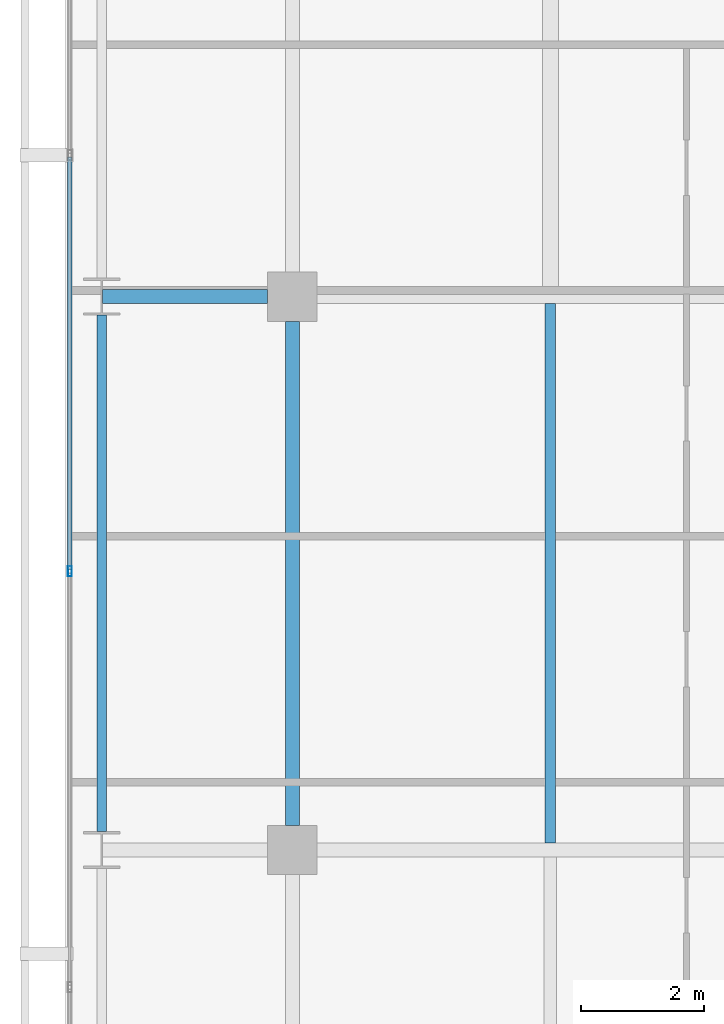
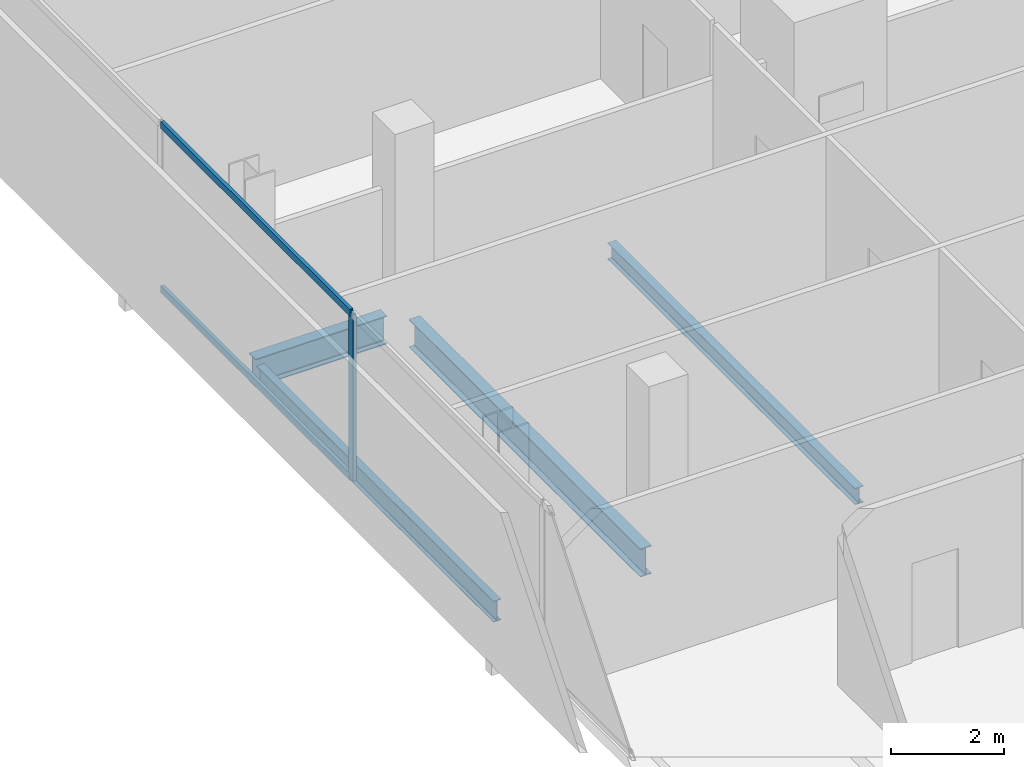
# One storey, part 8 of 34: 4 beams, 3 members, 1 element without a shape of its own.
"""IFC4 building model written with IfcOpenShell, lengths in metres."""

from ifc_helpers import new_model, si_unit, direction, frame, origin, origin_2d, place, context, subcontext, project, spatial, hollow_rectangle, i_section, extrude, material, layer, layer_set, material_profile, profile_set, type_object, element, aggregate, save


model = new_model("IFC4")

# Units and contexts
model_context = context("Model", 3, precision=1e-05, world=origin(), true_north=direction((0.0, 1.0)))
body_context = subcontext(model_context, "Body", "Model", "MODEL_VIEW")
ifc_project = project(units=[si_unit("LENGTHUNIT", "METRE"), si_unit("AREAUNIT", "SQUARE_METRE"), si_unit("VOLUMEUNIT", "CUBIC_METRE"), si_unit("PLANEANGLEUNIT", "RADIAN"), si_unit("MASSUNIT", "GRAM", prefix="KILO")], contexts=[model_context])

# Site, building, storey
site_placement = place(None, origin())
site = spatial("IfcSite", under=ifc_project, at=site_placement, CompositionType="ELEMENT")
building_placement = place(site_placement, origin())
building = spatial("IfcBuilding", under=site, at=building_placement, Name="Maruvema Waterfront Hotel and Observation Tower", CompositionType="ELEMENT")
storey_placement = place(building_placement, frame((0.0, 0.0, 127.39990234375)))
storey = spatial("IfcBuildingStorey", under=building, at=storey_placement, Name="L30", CompositionType="ELEMENT", Elevation=127.39990234375)

# Curtain wall, members
ifc_material_1 = material(Name="Anodised bronze aluminium and solar-control low-E IGU", Category="aluminium")
ifc_layer = layer(ifc_material_1, 0.159912109375, Name="Zone 2 Amber Inner Thermal Curtain Wall System CW-03")
ifc_layer_set = layer_set([ifc_layer], Name="Anodised bronze aluminium and solar-control low-E IGU")
curtain_wall_type = type_object("IfcCurtainWallType", Name="Zone 2 Amber Inner Thermal Curtain Wall System CW-03", PredefinedType="USERDEFINED", material=ifc_layer_set)
curtain_wall_placement = place(storey_placement, origin())
curtain_wall = element("IfcCurtainWall", 1, at=curtain_wall_placement, inside=storey, type_object=curtain_wall_type, Name="L30 Curtain Wall CW-L30-W", ObjectType="UNITISED CURTAIN WALL", PredefinedType="USERDEFINED")
ifc_material_2 = material(Name="Anodised architectural bronze aluminium", Category="aluminium")
ifc_material_profile_1 = material_profile(ifc_material_2, hollow_rectangle(XDim=0.070068359375, YDim=0.14990234375, WallThickness=0.00390625, at=origin_2d()), Name="ALU-T70x150")
ifc_profile_set_1 = profile_set([ifc_material_profile_1], Name="Anodised architectural bronze aluminium")
member_type_1 = type_object("IfcMemberType", Name="Curtain Wall Horizontal Transom ALU-T70x150", PredefinedType="USERDEFINED", material=ifc_profile_set_1)
member_1_placement = place(storey_placement, frame((13.179931640625, 29.27001953125, 0.030029296875), z_axis=(0.0, -1.0, 0.0), x_axis=(1.0, 0.0, 0.0)))
member_1 = element("IfcMember", 2, at=member_1_placement, type_object=member_type_1, Name="CW-03 transom 4.1", ObjectType="TRANSOM", PredefinedType="USERDEFINED", context=body_context, shape_type="SweptSolid", body=[
    extrude(hollow_rectangle(XDim=0.070068359375, YDim=0.14990234375, WallThickness=0.00390625, at=origin_2d()), origin(), (0.0, 0.0, 1.0), 6.706787109375),
])
member_2_placement = place(storey_placement, frame((13.179931640625, 29.27001953125, 3.580078125), z_axis=(0.0, -1.0, 0.0), x_axis=(1.0, 0.0, 0.0)))
member_2 = element("IfcMember", 3, at=member_2_placement, type_object=member_type_1, Name="CW-03 transom 4.2", ObjectType="TRANSOM", PredefinedType="USERDEFINED", context=body_context, shape_type="SweptSolid", body=[
    extrude(hollow_rectangle(XDim=0.070068359375, YDim=0.14990234375, WallThickness=0.00390625, at=origin_2d()), origin(), (0.0, 0.0, 1.0), 6.706787109375),
])
ifc_material_3 = material(Name="Anodised architectural bronze aluminium", Category="aluminium")
ifc_material_profile_2 = material_profile(ifc_material_3, hollow_rectangle(XDim=0.06494140625, YDim=0.1650390625, WallThickness=0.00390625, at=origin_2d()), Name="ALU-M65x165")
ifc_profile_set_2 = profile_set([ifc_material_profile_2], Name="Anodised architectural bronze aluminium")
member_type_2 = type_object("IfcMemberType", Name="Curtain Wall Primary Mullion ALU-M65x165", PredefinedType="MULLION", material=ifc_profile_set_2)
member_3_placement = place(storey_placement, frame((13.179931640625, 22.533447265625, 0.0), z_axis=(0.0, 0.0, 1.0), x_axis=(1.0, 0.0, 0.0)))
member_3 = element("IfcMember", 4, at=member_3_placement, type_object=member_type_2, Name="CW-03 mullion 5", PredefinedType="MULLION", context=body_context, shape_type="SweptSolid", body=[
    extrude(hollow_rectangle(XDim=0.06494140625, YDim=0.1650390625, WallThickness=0.00390625, at=origin_2d()), origin(), (0.0, 0.0, 1.0), 3.610107421875),
])
aggregate(curtain_wall, [member_3, member_1, member_2])

# Beams
ifc_material_4 = material(Name="Steel ASTM A572 Grade 50", Category="steel")
ifc_material_profile_3 = material_profile(ifc_material_4, i_section(OverallWidth=0.153076171875, OverallDepth=0.455078125, WebThickness=0.008056640625, FlangeThickness=0.01318359375, FilletRadius=0.014892578125, at=origin_2d()), Name="W460x60.0")
ifc_profile_set_3 = profile_set([ifc_material_profile_3], Name="Steel ASTM A572 Grade 50")
beam_type_1 = type_object("IfcBeamType", Name="Perimeter Spandrel Beam W460x60.0", PredefinedType="SPANDREL", material=ifc_profile_set_3)
beam_1_placement = place(storey_placement, frame((13.699951171875, 18.300048828125, -0.46728515625), z_axis=(0.0, 1.0, 0.0), x_axis=(-1.0, 0.0, 0.0)))
element("IfcBeam", 5, at=beam_1_placement, inside=storey, type_object=beam_type_1, Name="L30 Floor Girder NS-02", PredefinedType="SPANDREL", context=body_context, shape_type="SweptSolid", body=[
    extrude(i_section(OverallWidth=0.153076171875, OverallDepth=0.455078125, WebThickness=0.008056640625, FlangeThickness=0.01318359375, FilletRadius=0.014892578125, at=origin_2d()), origin(), (0.0, 0.0, 1.0), 8.39990234375),
])
ifc_material_5 = material(Name="Steel ASTM A572 Grade 50", Category="steel")
ifc_material_profile_4 = material_profile(ifc_material_5, i_section(OverallWidth=0.22900390625, OverallDepth=0.612060546875, WebThickness=0.011962890625, FlangeThickness=0.01953125, FilletRadius=0.01806640625, at=origin_2d()), Name="W610x125.0")
ifc_profile_set_4 = profile_set([ifc_material_profile_4], Name="Steel ASTM A572 Grade 50")
beam_type_2 = type_object("IfcBeamType", Name="Primary Floor Girder W610x125.0", PredefinedType="BEAM", material=ifc_profile_set_4)
beam_2_placement = place(storey_placement, frame((13.71240234375, 27.0, -0.5458984375), z_axis=(1.0, 0.0, 0.0), x_axis=(0.0, 1.0, 0.0)))
element("IfcBeam", 6, at=beam_2_placement, inside=storey, type_object=beam_type_2, Name="L30 Floor Girder EW-18", PredefinedType="BEAM", context=body_context, shape_type="SweptSolid", body=[
    extrude(i_section(OverallWidth=0.22900390625, OverallDepth=0.612060546875, WebThickness=0.011962890625, FlangeThickness=0.01953125, FilletRadius=0.01806640625, at=origin_2d()), origin(), (0.0, 0.0, 1.0), 2.6875),
])
beam_3_placement = place(storey_placement, frame((16.800048828125, 18.39990234375, -0.5458984375), z_axis=(0.0, 1.0, 0.0), x_axis=(-1.0, 0.0, 0.0)))
element("IfcBeam", 7, at=beam_3_placement, inside=storey, type_object=beam_type_2, Name="L30 Floor Girder NS-06", PredefinedType="BEAM", context=body_context, shape_type="SweptSolid", body=[
    extrude(i_section(OverallWidth=0.22900390625, OverallDepth=0.612060546875, WebThickness=0.011962890625, FlangeThickness=0.01953125, FilletRadius=0.01806640625, at=origin_2d()), origin(), (0.0, 0.0, 1.0), 8.2001953125),
])
ifc_material_6 = material(Name="Steel ASTM A572 Grade 50", Category="steel")
ifc_material_profile_5 = material_profile(ifc_material_6, i_section(OverallWidth=0.1708984375, OverallDepth=0.35498046875, WebThickness=0.007080078125, FlangeThickness=0.01171875, FilletRadius=0.014892578125, at=origin_2d()), Name="W360x51.0")
ifc_profile_set_5 = profile_set([ifc_material_profile_5], Name="Steel ASTM A572 Grade 50")
beam_type_3 = type_object("IfcBeamType", Name="Secondary Floor Joist W360x51.0", PredefinedType="JOIST", material=ifc_profile_set_5)
beam_4_placement = place(storey_placement, frame((21.0, 18.114501953125, -0.41748046875), z_axis=(0.0, 1.0, 0.0), x_axis=(-1.0, 0.0, 0.0)))
element("IfcBeam", 8, at=beam_4_placement, inside=storey, type_object=beam_type_3, Name="L30 Secondary Floor Joist JS-02", PredefinedType="JOIST", context=body_context, shape_type="SweptSolid", body=[
    extrude(i_section(OverallWidth=0.1708984375, OverallDepth=0.35498046875, WebThickness=0.007080078125, FlangeThickness=0.01171875, FilletRadius=0.014892578125, at=origin_2d()), origin(), (0.0, 0.0, 1.0), 8.77099609375),
])

save(model, "model.ifc")
